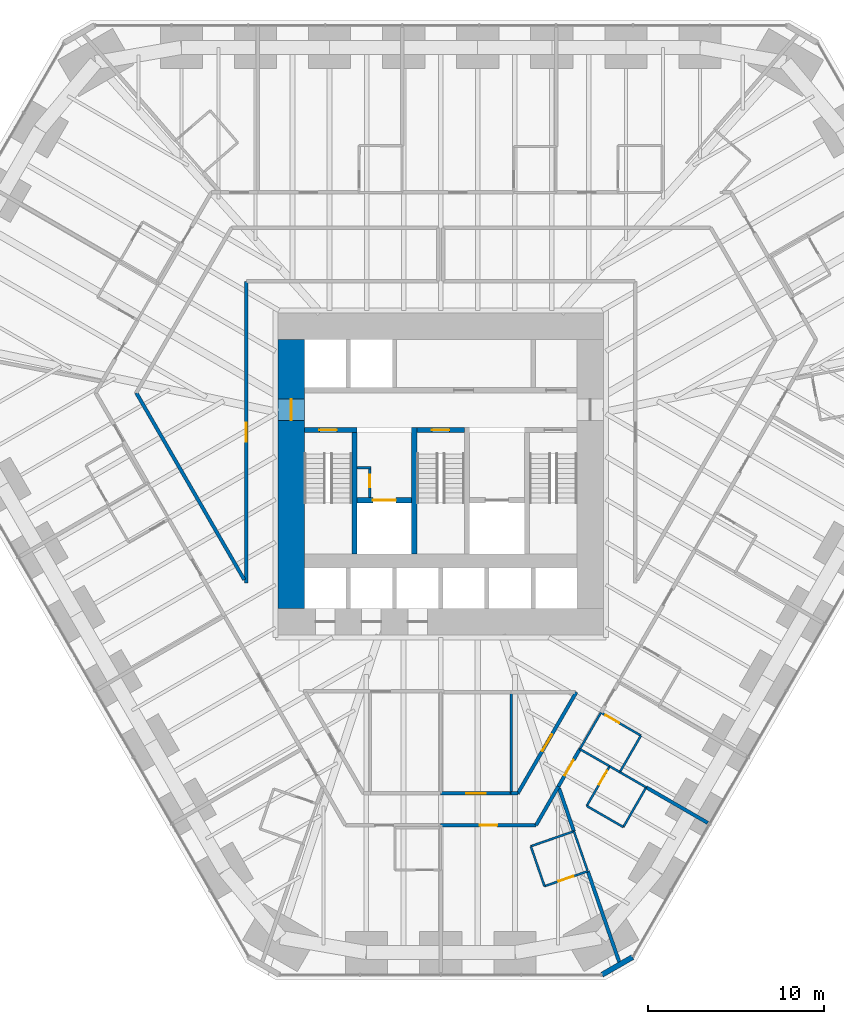
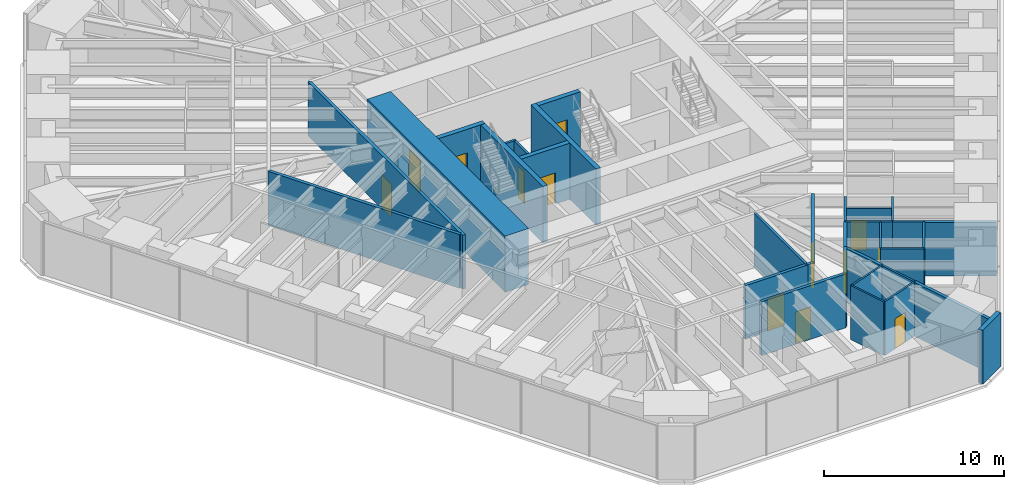
# One storey, part 12 of 17: 34 walls, 13 doors, 13 openings.
"""IFC4 building model written with IfcOpenShell, lengths in metres."""

from ifc_helpers import new_model, si_unit, direction, frame, frame_2d, origin, place, context, subcontext, project, spatial, rectangle, extrude, material, layer, layer_set, type_object, element, fill, save


model = new_model("IFC4")

# Units and contexts
model_context = context("Model", 3, precision=1e-05, world=origin(), true_north=direction((0.0, 1.0)))
body_context = subcontext(model_context, "Body", "Model", "MODEL_VIEW")
ifc_project = project(units=[si_unit("LENGTHUNIT", "METRE"), si_unit("AREAUNIT", "SQUARE_METRE"), si_unit("VOLUMEUNIT", "CUBIC_METRE"), si_unit("PLANEANGLEUNIT", "RADIAN"), si_unit("MASSUNIT", "GRAM", prefix="KILO")], contexts=[model_context])

# Site, building, storey
site_placement = place(None, origin())
site = spatial("IfcSite", under=ifc_project, at=site_placement, CompositionType="ELEMENT")
building_placement = place(site_placement, origin())
building = spatial("IfcBuilding", under=site, at=building_placement, Name="Sandreach Pilgrim Tower", CompositionType="ELEMENT")
storey_placement = place(building_placement, frame((0.0, 0.0, 38.199951171875)))
storey = spatial("IfcBuildingStorey", under=building, at=storey_placement, Name="L08", CompositionType="ELEMENT", Elevation=38.199951171875)

# Walls
ifc_material_1 = material(Name="Gypsum board on steel studs", Category="steel")
ifc_layer_1 = layer(ifc_material_1, 0.14990234375)
ifc_layer_set_1 = layer_set([ifc_layer_1], Name="Back of house wall 150")
wall_type_1 = type_object("IfcWallType", Name="Back of house wall 150", PredefinedType="PARTITIONING", material=ifc_layer_set_1)
wall_1_placement = place(storey_placement, frame((4.0, -13.949951171875, 0.0), z_axis=(0.0, 0.0, 1.0), x_axis=(0.0, -1.0, 0.0)))
element("IfcWall", 1, at=wall_1_placement, inside=storey, type_object=wall_type_1, Name="Back of house wall L08-075", PredefinedType="PARTITIONING", context=body_context, shape_type="SweptSolid", body=[
    extrude(rectangle(XDim=5.760009765625, YDim=0.14990234375, at=frame_2d((2.8798828125, 0.0))), origin(), (0.0, 0.0, 1.0), 3.64013671875),
])
ifc_material_2 = material(Name="Moisture-resistant gypsum board on steel studs", Category="steel")
ifc_layer_2 = layer(ifc_material_2, 0.1201171875)
ifc_layer_set_2 = layer_set([ifc_layer_2], Name="Bathroom partition 120")
wall_type_2 = type_object("IfcWallType", Name="Bathroom partition 120", PredefinedType="PARTITIONING", material=ifc_layer_set_2)
wall_2_placement = place(storey_placement, frame((5.1201171875, -22.7099609375, 0.0), z_axis=(0.0, 0.0, 1.0), x_axis=(0.324880771143, -0.945754981241, 0.0)))
element("IfcWall", 2, at=wall_2_placement, inside=storey, type_object=wall_type_2, Name="Bathroom partition L08-080", PredefinedType="PARTITIONING", context=body_context, shape_type="SweptSolid", body=[
    extrude(rectangle(XDim=2.400146484375, YDim=0.1201171875, at=frame_2d((1.2001953125, 0.0))), origin(), (0.0, 0.0, 1.0), 3.64013671875),
])

# Wall, opening, door
wall_3_placement = place(storey_placement, frame((5.89990234375, -24.97998046875, 0.0), z_axis=(0.0, 0.0, 1.0), x_axis=(0.945165466094, 0.326591857987, 0.0)))
wall_3 = element("IfcWall", 3, at=wall_3_placement, inside=storey, type_object=wall_type_2, Name="Bathroom partition L08-082", PredefinedType="PARTITIONING", context=body_context, shape_type="SweptSolid", body=[
    extrude(rectangle(XDim=2.60302734375, YDim=0.1201171875, at=frame_2d((1.301513671875, 0.0))), origin(), (0.0, 0.0, 1.0), 3.64013671875),
])
opening_1_placement = place(wall_3_placement, frame((0.85009765625, 0.0, 0.0)))
opening_1 = element("IfcOpeningElement", 4, at=opening_1_placement, cuts=wall_3, Name="Opening D09-12B", PredefinedType="OPENING", context=body_context, shape_type="SweptSolid", body=[
    extrude(rectangle(XDim=0.89990234375, YDim=2.030029296875, at=frame_2d((0.449951171875, 1.01513671875))), frame((0.0, 0.06005859375, 0.0), z_axis=(0.0, -1.0, 0.0), x_axis=(1.0, 0.0, 0.0)), (0.0, 0.0, 1.0), 0.1201171875),
])
ifc_material_3 = material(Name="Timber door, steel frame", Category="steel")
door_type_1 = type_object("IfcDoorType", Name="Bathroom door", OperationType="SINGLE_SWING_LEFT", PredefinedType="DOOR", material=ifc_material_3)
door_1_placement = place(opening_1_placement, origin())
door_1 = element("IfcDoor", 5, at=door_1_placement, inside=storey, type_object=door_type_1, Name="Door 0812B", OperationType="SINGLE_SWING_LEFT", OverallHeight=2.030029296875, OverallWidth=0.89990234375, PredefinedType="DOOR", context=body_context, shape_type="SweptSolid", body=[
    extrude(rectangle(XDim=0.89990234375, YDim=2.030029296875, at=frame_2d((0.449951171875, 1.01513671875))), frame((0.0, 0.02490234375, 0.0), z_axis=(0.0, -1.0, 0.0), x_axis=(1.0, 0.0, 0.0)), (0.0, 0.0, 1.0), 0.050048828125),
])
fill(opening_1, door_1)

# Walls
wall_4_placement = place(storey_placement, frame((7.570068359375, -21.860107421875, 0.0), z_axis=(0.0, 0.0, 1.0), x_axis=(-0.944782191137, -0.327698964463, 0.0)))
element("IfcWall", 6, at=wall_4_placement, inside=storey, type_object=wall_type_2, Name="Bathroom partition L08-089", PredefinedType="PARTITIONING", context=body_context, shape_type="SweptSolid", body=[
    extrude(rectangle(XDim=2.593505859375, YDim=0.1201171875, at=frame_2d((1.296875, 0.0))), origin(), (0.0, 0.0, 1.0), 3.64013671875),
])
wall_5_placement = place(storey_placement, frame((7.570068359375, -21.860107421875, 0.0), z_axis=(0.0, 0.0, 1.0), x_axis=(0.327706459026, -0.944779591605, 0.0)))
element("IfcWall", 7, at=wall_5_placement, inside=storey, type_object=wall_type_2, Name="Bathroom partition L08-090", PredefinedType="PARTITIONING", context=body_context, shape_type="SweptSolid", body=[
    extrude(rectangle(XDim=2.349609375, YDim=0.1201171875, at=frame_2d((1.1748046875, 0.0))), origin(), (0.0, 0.0, 1.0), 3.64013671875),
])
wall_6_placement = place(storey_placement, frame((7.909912109375, -17.18994140625, 0.0), z_axis=(0.0, 0.0, 1.0), x_axis=(0.499737123639, 0.866177122335, 0.0)))
element("IfcWall", 8, at=wall_6_placement, inside=storey, type_object=wall_type_2, Name="Bathroom partition L08-092", PredefinedType="PARTITIONING", context=body_context, shape_type="SweptSolid", body=[
    extrude(rectangle(XDim=2.401123046875, YDim=0.1201171875, at=frame_2d((1.20068359375, 0.0))), origin(), (0.0, 0.0, 1.0), 3.64013671875),
])
wall_7_placement = place(storey_placement, frame((7.909912109375, -17.18994140625, 0.0), z_axis=(0.0, 0.0, 1.0), x_axis=(0.8673242112, -0.497743621421, 0.0)))
element("IfcWall", 9, at=wall_7_placement, inside=storey, type_object=wall_type_2, Name="Bathroom partition L08-093", PredefinedType="PARTITIONING", context=body_context, shape_type="SweptSolid", body=[
    extrude(rectangle(XDim=1.94873046875, YDim=0.1201171875, at=frame_2d((0.974365234375, 0.0))), origin(), (0.0, 0.0, 1.0), 3.64013671875),
])
wall_8_placement = place(storey_placement, frame((8.300048828125, -20.419921875, 0.0), z_axis=(0.0, 0.0, 1.0), x_axis=(0.866177122335, -0.499737123639, 0.0)))
element("IfcWall", 10, at=wall_8_placement, inside=storey, type_object=wall_type_2, Name="Bathroom partition L08-094", PredefinedType="PARTITIONING", context=body_context, shape_type="SweptSolid", body=[
    extrude(rectangle(XDim=2.401123046875, YDim=0.1201171875, at=frame_2d((1.20068359375, 0.0))), origin(), (0.0, 0.0, 1.0), 3.64013671875),
])

# Wall, opening, door
wall_9_placement = place(storey_placement, frame((9.60009765625, -18.159912109375, 0.0), z_axis=(0.0, 0.0, 1.0), x_axis=(-0.498627694264, -0.866816256489, 0.0)))
wall_9 = element("IfcWall", 11, at=wall_9_placement, inside=storey, type_object=wall_type_2, Name="Bathroom partition L08-097", PredefinedType="PARTITIONING", context=body_context, shape_type="SweptSolid", body=[
    extrude(rectangle(XDim=2.607177734375, YDim=0.1201171875, at=frame_2d((1.3037109375, 0.0))), origin(), (0.0, 0.0, 1.0), 3.64013671875),
])
opening_2_placement = place(wall_9_placement, frame((0.300048828125, 0.0, 0.0)))
opening_2 = element("IfcOpeningElement", 12, at=opening_2_placement, cuts=wall_9, Name="Opening D09-11B", PredefinedType="OPENING", context=body_context, shape_type="SweptSolid", body=[
    extrude(rectangle(XDim=0.89990234375, YDim=2.030029296875, at=frame_2d((0.449951171875, 1.01513671875))), frame((0.0, 0.06005859375, 0.0), z_axis=(0.0, -1.0, 0.0), x_axis=(1.0, 0.0, 0.0)), (0.0, 0.0, 1.0), 0.1201171875),
])
door_2_placement = place(opening_2_placement, origin())
door_2 = element("IfcDoor", 13, at=door_2_placement, inside=storey, type_object=door_type_1, Name="Door 0811B", OperationType="SINGLE_SWING_LEFT", OverallHeight=2.030029296875, OverallWidth=0.89990234375, PredefinedType="DOOR", context=body_context, shape_type="SweptSolid", body=[
    extrude(rectangle(XDim=0.89990234375, YDim=2.030029296875, at=frame_2d((0.449951171875, 1.01513671875))), frame((0.0, 0.02490234375, 0.0), z_axis=(0.0, -1.0, 0.0), x_axis=(1.0, 0.0, 0.0)), (0.0, 0.0, 1.0), 0.050048828125),
])
fill(opening_2, door_2)

# Walls
wall_10_placement = place(storey_placement, frame((9.60009765625, -18.159912109375, 0.0), z_axis=(0.0, 0.0, 1.0), x_axis=(0.862577739272, -0.505924543497, 0.0)))
element("IfcWall", 14, at=wall_10_placement, inside=storey, type_object=wall_type_2, Name="Bathroom partition L08-098", PredefinedType="PARTITIONING", context=body_context, shape_type="SweptSolid", body=[
    extrude(rectangle(XDim=0.672119140625, YDim=0.1201171875, at=frame_2d((0.3359375, 0.0))), origin(), (0.0, 0.0, 1.0), 3.64013671875),
])
wall_11_placement = place(storey_placement, frame((10.179931640625, -18.5, 0.0), z_axis=(0.0, 0.0, 1.0), x_axis=(0.499693115345, 0.866202511239, 0.0)))
element("IfcWall", 15, at=wall_11_placement, inside=storey, type_object=wall_type_2, Name="Bathroom partition L08-103", PredefinedType="PARTITIONING", context=body_context, shape_type="SweptSolid", body=[
    extrude(rectangle(XDim=2.4013671875, YDim=0.1201171875, at=frame_2d((1.20068359375, 0.0))), origin(), (0.0, 0.0, 1.0), 3.64013671875),
])
wall_12_placement = place(storey_placement, frame((10.179931640625, -18.5, 0.0), z_axis=(0.0, 0.0, 1.0), x_axis=(0.867564547129, -0.497324598794, 0.0)))
element("IfcWall", 16, at=wall_12_placement, inside=storey, type_object=wall_type_2, Name="Bathroom partition L08-104", PredefinedType="PARTITIONING", context=body_context, shape_type="SweptSolid", body=[
    extrude(rectangle(XDim=1.72900390625, YDim=0.1201171875, at=frame_2d((0.864501953125, 0.0))), origin(), (0.0, 0.0, 1.0), 3.64013671875),
])
wall_13_placement = place(storey_placement, frame((10.3798828125, -21.6201171875, 0.0), z_axis=(0.0, 0.0, 1.0), x_axis=(0.498627694264, 0.866816256489, 0.0)))
element("IfcWall", 17, at=wall_13_placement, inside=storey, type_object=wall_type_2, Name="Bathroom partition L08-105", PredefinedType="PARTITIONING", context=body_context, shape_type="SweptSolid", body=[
    extrude(rectangle(XDim=2.607177734375, YDim=0.1201171875, at=frame_2d((1.3037109375, 0.0))), origin(), (0.0, 0.0, 1.0), 3.64013671875),
])

# Wall, opening, door
wall_14_placement = place(storey_placement, frame((11.3798828125, -16.419921875, 0.0), z_axis=(0.0, 0.0, 1.0), x_axis=(-0.866154567199, 0.49977621564, 0.0)))
wall_14 = element("IfcWall", 18, at=wall_14_placement, inside=storey, type_object=wall_type_2, Name="Bathroom partition L08-109", PredefinedType="PARTITIONING", context=body_context, shape_type="SweptSolid", body=[
    extrude(rectangle(XDim=2.620849609375, YDim=0.1201171875, at=frame_2d((1.310546875, 0.0))), origin(), (0.0, 0.0, 1.0), 2.8779296875),
])
opening_3_placement = place(wall_14_placement, frame((1.4208984375, 0.0, 0.0)))
opening_3 = element("IfcOpeningElement", 19, at=opening_3_placement, cuts=wall_14, Name="Opening D09-10B", PredefinedType="OPENING", context=body_context, shape_type="SweptSolid", body=[
    extrude(rectangle(XDim=0.89990234375, YDim=2.030029296875, at=frame_2d((0.449951171875, 1.01513671875))), frame((0.0, 0.06005859375, 0.0), z_axis=(0.0, -1.0, 0.0), x_axis=(1.0, 0.0, 0.0)), (0.0, 0.0, 1.0), 0.1201171875),
])
door_3_placement = place(opening_3_placement, origin())
door_3 = element("IfcDoor", 20, at=door_3_placement, inside=storey, type_object=door_type_1, Name="Door 0810B", OperationType="SINGLE_SWING_RIGHT", OverallHeight=2.030029296875, OverallWidth=0.89990234375, PredefinedType="DOOR", context=body_context, shape_type="SweptSolid", body=[
    extrude(rectangle(XDim=0.89990234375, YDim=2.030029296875, at=frame_2d((0.449951171875, 1.01513671875))), frame((0.0, 0.02490234375, 0.0), z_axis=(0.0, -1.0, 0.0), x_axis=(1.0, 0.0, 0.0)), (0.0, 0.0, 1.0), 0.050048828125),
])
fill(opening_3, door_3)

# Walls
ifc_material_4 = material(Name="Concrete 10000 psi", Category="concrete")
ifc_layer_3 = layer(ifc_material_4, 0.300048828125)
ifc_layer_set_3 = layer_set([ifc_layer_3], Name="Core inner wall 300")
wall_type_3 = type_object("IfcWallType", Name="Core inner wall 300", PredefinedType="SHEAR", material=ifc_layer_set_3)
for number, where, z_axis, x_axis, name in (
    (21, (-4.89990234375, -6.10009765625, 0.0), (0.0, 0.0, 1.0), (0.0, 1.0, 0.0), "Core wall I0 L08"),
    (22, (-1.5, -6.10009765625, 0.0), (0.0, 0.0, 1.0), (0.0, 1.0, 0.0), "Core wall I1 L08"),
):
    element("IfcWall", number, at=place(storey_placement, frame(where, z_axis=z_axis, x_axis=x_axis)), inside=storey, type_object=wall_type_3, Name=name, PredefinedType="SHEAR", context=body_context, shape_type="SweptSolid", body=[
        extrude(rectangle(XDim=7.2001953125, YDim=0.300048828125, at=frame_2d((3.60009765625, 0.0))), origin(), (0.0, 0.0, 1.0), 3.800048828125),
    ])

# Wall, opening, door
wall_15_placement = place(storey_placement, frame((-7.75, 0.949951171875, 0.0), z_axis=(0.0, 0.0, 1.0), x_axis=(1.0, 0.0, 0.0)))
wall_15 = element("IfcWall", 23, at=wall_15_placement, inside=storey, type_object=wall_type_3, Name="Core wall SN1 L08", PredefinedType="SHEAR", context=body_context, shape_type="SweptSolid", body=[
    extrude(rectangle(XDim=3.0, YDim=0.300048828125, at=frame_2d((1.5, 0.0))), origin(), (0.0, 0.0, 1.0), 3.800048828125),
])
opening_4_placement = place(wall_15_placement, frame((0.85009765625, 0.0, 0.0)))
opening_4 = element("IfcOpeningElement", 24, at=opening_4_placement, cuts=wall_15, Name="Opening D10S-ST1", PredefinedType="OPENING", context=body_context, shape_type="SweptSolid", body=[
    extrude(rectangle(XDim=1.0, YDim=2.199951171875, at=frame_2d((0.5, 1.10009765625))), frame((0.0, 0.14990234375, 0.0), z_axis=(0.0, -1.0, 0.0), x_axis=(1.0, 0.0, 0.0)), (0.0, 0.0, 1.0), 0.300048828125),
])
ifc_material_5 = material(Name="Steel door and frame", Category="steel")
door_type_2 = type_object("IfcDoorType", Name="Stair door", OperationType="SINGLE_SWING_LEFT", PredefinedType="DOOR", material=ifc_material_5)
door_4_placement = place(opening_4_placement, origin())
door_4 = element("IfcDoor", 25, at=door_4_placement, inside=storey, type_object=door_type_2, Name="Stair door ST1 L08", OperationType="SINGLE_SWING_LEFT", OverallHeight=2.199951171875, OverallWidth=1.0, PredefinedType="DOOR", context=body_context, shape_type="SweptSolid", body=[
    extrude(rectangle(XDim=1.0, YDim=2.199951171875, at=frame_2d((0.5, 1.10009765625))), frame((0.0, 0.02490234375, 0.0), z_axis=(0.0, -1.0, 0.0), x_axis=(1.0, 0.0, 0.0)), (0.0, 0.0, 1.0), 0.050048828125),
])
fill(opening_4, door_4)

wall_16_placement = place(storey_placement, frame((-1.35009765625, 0.949951171875, 0.0), z_axis=(0.0, 0.0, 1.0), x_axis=(1.0, 0.0, 0.0)))
wall_16 = element("IfcWall", 26, at=wall_16_placement, inside=storey, type_object=wall_type_3, Name="Core wall SN3 L08", PredefinedType="SHEAR", context=body_context, shape_type="SweptSolid", body=[
    extrude(rectangle(XDim=2.7001953125, YDim=0.300048828125, at=frame_2d((1.35009765625, 0.0))), origin(), (0.0, 0.0, 1.0), 3.800048828125),
])
opening_5_placement = place(wall_16_placement, frame((0.85009765625, 0.0, 0.0)))
opening_5 = element("IfcOpeningElement", 27, at=opening_5_placement, cuts=wall_16, Name="Opening D10S-ST3", PredefinedType="OPENING", context=body_context, shape_type="SweptSolid", body=[
    extrude(rectangle(XDim=1.0, YDim=2.199951171875, at=frame_2d((0.5, 1.10009765625))), frame((0.0, 0.14990234375, 0.0), z_axis=(0.0, -1.0, 0.0), x_axis=(1.0, 0.0, 0.0)), (0.0, 0.0, 1.0), 0.300048828125),
])
door_5_placement = place(opening_5_placement, origin())
door_5 = element("IfcDoor", 28, at=door_5_placement, inside=storey, type_object=door_type_2, Name="Stair door ST3 L08", OperationType="SINGLE_SWING_LEFT", OverallHeight=2.199951171875, OverallWidth=1.0, PredefinedType="DOOR", context=body_context, shape_type="SweptSolid", body=[
    extrude(rectangle(XDim=1.0, YDim=2.199951171875, at=frame_2d((0.5, 1.10009765625))), frame((0.0, 0.02490234375, 0.0), z_axis=(0.0, -1.0, 0.0), x_axis=(1.0, 0.0, 0.0)), (0.0, 0.0, 1.0), 0.050048828125),
])
fill(opening_5, door_5)

wall_17_placement = place(storey_placement, frame((-4.75, -3.050048828125, 0.0), z_axis=(0.0, 0.0, 1.0), x_axis=(1.0, 0.0, 0.0)))
wall_17 = element("IfcWall", 29, at=wall_17_placement, inside=storey, type_object=wall_type_3, Name="Core wall FL1 L08", PredefinedType="SHEAR", context=body_context, shape_type="SweptSolid", body=[
    extrude(rectangle(XDim=3.10009765625, YDim=0.300048828125, at=frame_2d((1.550048828125, 0.0))), origin(), (0.0, 0.0, 1.0), 3.800048828125),
])
opening_6_placement = place(wall_17_placement, frame((0.89990234375, 0.0, 0.0)))
opening_6 = element("IfcOpeningElement", 30, at=opening_6_placement, cuts=wall_17, Name="Opening LD13", PredefinedType="OPENING", context=body_context, shape_type="SweptSolid", body=[
    extrude(rectangle(XDim=1.300048828125, YDim=2.10009765625, at=frame_2d((0.64990234375, 1.050048828125))), frame((0.0, 0.14990234375, 0.0), z_axis=(0.0, -1.0, 0.0), x_axis=(1.0, 0.0, 0.0)), (0.0, 0.0, 1.0), 0.300048828125),
])
ifc_material_6 = material(Name="Steel door and frame", Category="steel")
door_type_3 = type_object("IfcDoorType", Name="Fire service lift landing door", OperationType="DOUBLE_DOOR_SLIDING", PredefinedType="DOOR", material=ifc_material_6)
door_6_placement = place(opening_6_placement, origin())
door_6 = element("IfcDoor", 31, at=door_6_placement, inside=storey, type_object=door_type_3, Name="Lift landing door FS1 L08", OperationType="DOUBLE_DOOR_SLIDING", OverallHeight=2.10009765625, OverallWidth=1.300048828125, PredefinedType="DOOR", context=body_context, shape_type="SweptSolid", body=[
    extrude(rectangle(XDim=1.300048828125, YDim=2.10009765625, at=frame_2d((0.64990234375, 1.050048828125))), frame((0.0, 0.02490234375, 0.0), z_axis=(0.0, -1.0, 0.0), x_axis=(1.0, 0.0, 0.0)), (0.0, 0.0, 1.0), 0.050048828125),
])
fill(opening_6, door_6)

ifc_material_7 = material(Name="Concrete 10000 psi", Category="concrete")
ifc_layer_4 = layer(ifc_material_7, 1.5)
ifc_layer_set_4 = layer_set([ifc_layer_4], Name="Core wall 1500")
wall_type_4 = type_object("IfcWallType", Name="Core wall 1500", PredefinedType="SHEAR", material=ifc_layer_set_4)
wall_18_placement = place(storey_placement, frame((-8.5, -9.199951171875, 0.0), z_axis=(0.0, 0.0, 1.0), x_axis=(0.0, 1.0, 0.0)))
wall_18 = element("IfcWall", 32, at=wall_18_placement, inside=storey, type_object=wall_type_4, Name="Core wall W L08", PredefinedType="SHEAR", context=body_context, shape_type="SweptSolid", body=[
    extrude(rectangle(XDim=15.300048828125, YDim=1.5, at=frame_2d((7.64990234375, 0.0))), origin(), (0.0, 0.0, 1.0), 3.800048828125),
])
opening_7_placement = place(wall_18_placement, frame((10.699951171875, 0.0, 0.0)))
opening_7 = element("IfcOpeningElement", 33, at=opening_7_placement, cuts=wall_18, Name="Opening D12F-W", PredefinedType="OPENING", context=body_context, shape_type="SweptSolid", body=[
    extrude(rectangle(XDim=1.199951171875, YDim=2.199951171875, at=frame_2d((0.60009765625, 1.10009765625))), frame((0.0, 0.75, 0.0), z_axis=(0.0, -1.0, 0.0), x_axis=(1.0, 0.0, 0.0)), (0.0, 0.0, 1.0), 1.5),
])
ifc_material_8 = material(Name="Steel door and frame", Category="steel")
door_type_4 = type_object("IfcDoorType", Name="Fire lobby door", OperationType="SINGLE_SWING_LEFT", PredefinedType="DOOR", material=ifc_material_8)
door_7_placement = place(opening_7_placement, origin())
door_7 = element("IfcDoor", 34, at=door_7_placement, inside=storey, type_object=door_type_4, Name="Fire service lobby door W L08", OperationType="SINGLE_SWING_RIGHT", OverallHeight=2.199951171875, OverallWidth=1.199951171875, PredefinedType="DOOR", context=body_context, shape_type="SweptSolid", body=[
    extrude(rectangle(XDim=1.199951171875, YDim=2.199951171875, at=frame_2d((0.60009765625, 1.10009765625))), frame((0.0, 0.02490234375, 0.0), z_axis=(0.0, -1.0, 0.0), x_axis=(1.0, 0.0, 0.0)), (0.0, 0.0, 1.0), 0.050048828125),
])
fill(opening_7, door_7)

# Wall
ifc_material_9 = material(Name="Gypsum board on steel studs, two layers each side", Category="steel")
ifc_layer_5 = layer(ifc_material_9, 0.199951171875)
ifc_layer_set_5 = layer_set([ifc_layer_5], Name="Corridor wall 200")
wall_type_5 = type_object("IfcWallType", Name="Corridor wall 200", PredefinedType="PARTITIONING", material=ifc_layer_set_5)
wall_19_placement = place(storey_placement, frame((-11.16015625, -7.569580078125, 0.0), z_axis=(0.0, 0.0, 1.0), x_axis=(-0.500175206663, 0.865924224537, 0.0)))
element("IfcWall", 35, at=wall_19_placement, inside=storey, type_object=wall_type_5, Name="Corridor wall L08-037", PredefinedType="PARTITIONING", context=body_context, shape_type="SweptSolid", body=[
    extrude(rectangle(XDim=12.275390625, YDim=0.199951171875, at=frame_2d((6.1376953125, 0.0))), origin(), (0.0, 0.0, 1.0), 3.64013671875),
])

# Wall, opening, door
wall_20_placement = place(storey_placement, frame((-11.050048828125, 9.39990234375, 0.0), z_axis=(0.0, 0.0, 1.0), x_axis=(0.0, -1.0, 0.0)))
wall_20 = element("IfcWall", 36, at=wall_20_placement, inside=storey, type_object=wall_type_5, Name="Corridor wall L08-038", PredefinedType="PARTITIONING", context=body_context, shape_type="SweptSolid", body=[
    extrude(rectangle(XDim=17.159912109375, YDim=0.199951171875, at=frame_2d((8.580078125, 0.0))), origin(), (0.0, 0.0, 1.0), 3.64013671875),
])
opening_8_placement = place(wall_20_placement, frame((8.030029296875, 0.0, 0.0)))
opening_8 = element("IfcOpeningElement", 37, at=opening_8_placement, cuts=wall_20, Name="Opening D11H-M1", PredefinedType="OPENING", context=body_context, shape_type="SweptSolid", body=[
    extrude(rectangle(XDim=1.10009765625, YDim=2.199951171875, at=frame_2d((0.550048828125, 1.10009765625))), frame((0.0, 0.10009765625, 0.0), z_axis=(0.0, -1.0, 0.0), x_axis=(1.0, 0.0, 0.0)), (0.0, 0.0, 1.0), 0.199951171875),
])
ifc_material_10 = material(Name="Steel door and frame", Category="steel")
door_type_5 = type_object("IfcDoorType", Name="Back of house door", OperationType="SINGLE_SWING_LEFT", PredefinedType="DOOR", material=ifc_material_10)
door_8_placement = place(opening_8_placement, origin())
door_8 = element("IfcDoor", 38, at=door_8_placement, inside=storey, type_object=door_type_5, Name="Door 08M1", OperationType="SINGLE_SWING_LEFT", OverallHeight=2.199951171875, OverallWidth=1.10009765625, PredefinedType="DOOR", context=body_context, shape_type="SweptSolid", body=[
    extrude(rectangle(XDim=1.10009765625, YDim=2.199951171875, at=frame_2d((0.550048828125, 1.10009765625))), frame((0.0, 0.02490234375, 0.0), z_axis=(0.0, -1.0, 0.0), x_axis=(1.0, 0.0, 0.0)), (0.0, 0.0, 1.0), 0.050048828125),
])
fill(opening_8, door_8)

wall_21_placement = place(storey_placement, frame((0.0, -21.510009765625, 0.0), z_axis=(0.0, 0.0, 1.0), x_axis=(1.0, 0.0, 0.0)))
wall_21 = element("IfcWall", 39, at=wall_21_placement, inside=storey, type_object=wall_type_5, Name="Corridor wall L08-067", PredefinedType="PARTITIONING", context=body_context, shape_type="SweptSolid", body=[
    extrude(rectangle(XDim=5.419921875, YDim=0.199951171875, at=frame_2d((2.7099609375, 0.0))), origin(), (0.0, 0.0, 1.0), 3.64013671875),
])
opening_9_placement = place(wall_21_placement, frame((2.2099609375, 0.0, 0.0)))
opening_9 = element("IfcOpeningElement", 40, at=opening_9_placement, cuts=wall_21, Name="Opening D10-12", PredefinedType="OPENING", context=body_context, shape_type="SweptSolid", body=[
    extrude(rectangle(XDim=1.0, YDim=2.1298828125, at=frame_2d((0.5, 1.06494140625))), frame((0.0, 0.10009765625, 0.0), z_axis=(0.0, -1.0, 0.0), x_axis=(1.0, 0.0, 0.0)), (0.0, 0.0, 1.0), 0.199951171875),
])
ifc_material_11 = material(Name="Steel door and frame", Category="steel")
door_type_6 = type_object("IfcDoorType", Name="Guest room entry door", OperationType="SINGLE_SWING_LEFT", PredefinedType="DOOR", material=ifc_material_11)
door_9_placement = place(opening_9_placement, origin())
door_9 = element("IfcDoor", 41, at=door_9_placement, inside=storey, type_object=door_type_6, Name="Door 0812", OperationType="SINGLE_SWING_LEFT", OverallHeight=2.1298828125, OverallWidth=1.0, PredefinedType="DOOR", context=body_context, shape_type="SweptSolid", body=[
    extrude(rectangle(XDim=1.0, YDim=2.1298828125, at=frame_2d((0.5, 1.06494140625))), frame((0.0, 0.02490234375, 0.0), z_axis=(0.0, -1.0, 0.0), x_axis=(1.0, 0.0, 0.0)), (0.0, 0.0, 1.0), 0.050048828125),
])
fill(opening_9, door_9)

wall_22_placement = place(storey_placement, frame((4.0, -19.7099609375, 0.0), z_axis=(0.0, 0.0, 1.0), x_axis=(-1.0, 0.0, 0.0)))
wall_22 = element("IfcWall", 42, at=wall_22_placement, inside=storey, type_object=wall_type_5, Name="Corridor wall L08-074", PredefinedType="PARTITIONING", context=body_context, shape_type="SweptSolid", body=[
    extrude(rectangle(XDim=4.0, YDim=0.199951171875, at=frame_2d((2.0, 0.0))), origin(), (0.0, 0.0, 1.0), 3.64013671875),
])
opening_10_placement = place(wall_22_placement, frame((1.449951171875, 0.0, 0.0)))
opening_10 = element("IfcOpeningElement", 43, at=opening_10_placement, cuts=wall_22, Name="Opening D11H-S3", PredefinedType="OPENING", context=body_context, shape_type="SweptSolid", body=[
    extrude(rectangle(XDim=1.10009765625, YDim=2.199951171875, at=frame_2d((0.550048828125, 1.10009765625))), frame((0.0, 0.10009765625, 0.0), z_axis=(0.0, -1.0, 0.0), x_axis=(1.0, 0.0, 0.0)), (0.0, 0.0, 1.0), 0.199951171875),
])
door_10_placement = place(opening_10_placement, origin())
door_10 = element("IfcDoor", 44, at=door_10_placement, inside=storey, type_object=door_type_5, Name="Door 08S3", OperationType="SINGLE_SWING_LEFT", OverallHeight=2.199951171875, OverallWidth=1.10009765625, PredefinedType="DOOR", context=body_context, shape_type="SweptSolid", body=[
    extrude(rectangle(XDim=1.10009765625, YDim=2.199951171875, at=frame_2d((0.550048828125, 1.10009765625))), frame((0.0, 0.02490234375, 0.0), z_axis=(0.0, -1.0, 0.0), x_axis=(1.0, 0.0, 0.0)), (0.0, 0.0, 1.0), 0.050048828125),
])
fill(opening_10, door_10)

# Walls
wall_23_placement = place(storey_placement, frame((4.3798828125, -19.7099609375, 0.0), z_axis=(0.0, 0.0, 1.0), x_axis=(-1.0, 0.0, 0.0)))
element("IfcWall", 45, at=wall_23_placement, inside=storey, type_object=wall_type_5, Name="Corridor wall L08-079", PredefinedType="PARTITIONING", context=body_context, shape_type="SweptSolid", body=[
    extrude(rectangle(XDim=0.3798828125, YDim=0.199951171875, at=frame_2d((0.18994140625, 0.0))), origin(), (0.0, 0.0, 1.0), 3.64013671875),
])
wall_24_placement = place(storey_placement, frame((5.419921875, -21.510009765625, 0.0), z_axis=(0.0, 0.0, 1.0), x_axis=(0.499963722229, 0.866046347752, 0.0)))
element("IfcWall", 46, at=wall_24_placement, inside=storey, type_object=wall_type_5, Name="Corridor wall L08-081", PredefinedType="PARTITIONING", context=body_context, shape_type="SweptSolid", body=[
    extrude(rectangle(XDim=2.540283203125, YDim=0.199951171875, at=frame_2d((1.27001953125, 0.0))), origin(), (0.0, 0.0, 1.0), 3.64013671875),
])

# Wall, opening, door
wall_25_placement = place(storey_placement, frame((6.68994140625, -19.31005859375, 0.0), z_axis=(0.0, 0.0, 1.0), x_axis=(0.498748634132, 0.866746675766, 0.0)))
wall_25 = element("IfcWall", 47, at=wall_25_placement, inside=storey, type_object=wall_type_5, Name="Corridor wall L08-087", PredefinedType="PARTITIONING", context=body_context, shape_type="SweptSolid", body=[
    extrude(rectangle(XDim=2.446044921875, YDim=0.199951171875, at=frame_2d((1.22314453125, 0.0))), origin(), (0.0, 0.0, 1.0), 3.64013671875),
])
opening_11_placement = place(wall_25_placement, frame((0.722900390625, 0.0, 0.0)))
opening_11 = element("IfcOpeningElement", 48, at=opening_11_placement, cuts=wall_25, Name="Opening D10-11", PredefinedType="OPENING", context=body_context, shape_type="SweptSolid", body=[
    extrude(rectangle(XDim=1.0, YDim=2.1298828125, at=frame_2d((0.5, 1.06494140625))), frame((0.0, 0.10009765625, 0.0), z_axis=(0.0, -1.0, 0.0), x_axis=(1.0, 0.0, 0.0)), (0.0, 0.0, 1.0), 0.199951171875),
])
door_11_placement = place(opening_11_placement, origin())
door_11 = element("IfcDoor", 49, at=door_11_placement, inside=storey, type_object=door_type_6, Name="Door 0811", OperationType="SINGLE_SWING_LEFT", OverallHeight=2.1298828125, OverallWidth=1.0, PredefinedType="DOOR", context=body_context, shape_type="SweptSolid", body=[
    extrude(rectangle(XDim=1.0, YDim=2.1298828125, at=frame_2d((0.5, 1.06494140625))), frame((0.0, 0.02490234375, 0.0), z_axis=(0.0, -1.0, 0.0), x_axis=(1.0, 0.0, 0.0)), (0.0, 0.0, 1.0), 0.050048828125),
])
fill(opening_11, door_11)

wall_26_placement = place(storey_placement, frame((7.7099609375, -13.949951171875, 0.0), z_axis=(0.0, 0.0, 1.0), x_axis=(-0.500511113963, -0.865730110831, 0.0)))
wall_26 = element("IfcWall", 50, at=wall_26_placement, inside=storey, type_object=wall_type_5, Name="Corridor wall L08-091", PredefinedType="PARTITIONING", context=body_context, shape_type="SweptSolid", body=[
    extrude(rectangle(XDim=6.6533203125, YDim=0.199951171875, at=frame_2d((3.32666015625, 0.0))), origin(), (0.0, 0.0, 1.0), 3.64013671875),
])
opening_12_placement = place(wall_26_placement, frame((2.776611328125, 0.0, 0.0)))
opening_12 = element("IfcOpeningElement", 51, at=opening_12_placement, cuts=wall_26, Name="Opening D11H-S4", PredefinedType="OPENING", context=body_context, shape_type="SweptSolid", body=[
    extrude(rectangle(XDim=1.10009765625, YDim=2.199951171875, at=frame_2d((0.550048828125, 1.10009765625))), frame((0.0, 0.10009765625, 0.0), z_axis=(0.0, -1.0, 0.0), x_axis=(1.0, 0.0, 0.0)), (0.0, 0.0, 1.0), 0.199951171875),
])
door_12_placement = place(opening_12_placement, origin())
door_12 = element("IfcDoor", 52, at=door_12_placement, inside=storey, type_object=door_type_5, Name="Door 08S4", OperationType="SINGLE_SWING_LEFT", OverallHeight=2.199951171875, OverallWidth=1.10009765625, PredefinedType="DOOR", context=body_context, shape_type="SweptSolid", body=[
    extrude(rectangle(XDim=1.10009765625, YDim=2.199951171875, at=frame_2d((0.550048828125, 1.10009765625))), frame((0.0, 0.02490234375, 0.0), z_axis=(0.0, -1.0, 0.0), x_axis=(1.0, 0.0, 0.0)), (0.0, 0.0, 1.0), 0.050048828125),
])
fill(opening_12, door_12)

# Walls
ifc_material_12 = material(Name="Double steel stud acoustic wall, gypsum board", Category="steel")
ifc_layer_6 = layer(ifc_material_12, 0.199951171875)
ifc_layer_set_6 = layer_set([ifc_layer_6], Name="Party wall 200")
wall_type_6 = type_object("IfcWallType", Name="Party wall 200", PredefinedType="PARTITIONING", material=ifc_layer_set_6)
wall_27_placement = place(storey_placement, frame((6.724365234375, -19.4091796875, 0.0), z_axis=(0.0, 0.0, 1.0), x_axis=(0.326182205696, -0.945306917719, 0.0)))
element("IfcWall", 53, at=wall_27_placement, inside=storey, type_object=wall_type_6, Name="Party wall L08-088", PredefinedType="PARTITIONING", context=body_context, shape_type="SweptSolid", body=[
    extrude(rectangle(XDim=2.5927734375, YDim=0.199951171875, at=frame_2d((1.29638671875, 0.0))), origin(), (0.0, 0.0, 1.0), 3.64013671875),
])
wall_28_placement = place(storey_placement, frame((8.360107421875, -24.1298828125, 0.0), z_axis=(0.0, 0.0, 1.0), x_axis=(0.327332811485, -0.944909112309, 0.0)))
element("IfcWall", 54, at=wall_28_placement, inside=storey, type_object=wall_type_6, Name="Party wall L08-095", PredefinedType="PARTITIONING", context=body_context, shape_type="SweptSolid", body=[
    extrude(rectangle(XDim=5.621337890625, YDim=0.199951171875, at=frame_2d((2.810546875, 0.0))), origin(), (0.0, 0.0, 1.0), 3.64013671875),
])
wall_29_placement = place(storey_placement, frame((11.679931640625, -19.360107421875, 0.0), z_axis=(0.0, 0.0, 1.0), x_axis=(0.865885444553, -0.500242338183, 0.0)))
element("IfcWall", 55, at=wall_29_placement, inside=storey, type_object=wall_type_6, Name="Party wall L08-110", PredefinedType="PARTITIONING", context=body_context, shape_type="SweptSolid", body=[
    extrude(rectangle(XDim=4.03759765625, YDim=0.199951171875, at=frame_2d((2.018798828125, 0.0))), origin(), (0.0, 0.0, 1.0), 3.64013671875),
])

# Wall, opening, door
ifc_material_13 = material(Name="Gypsum shaft wall on steel studs, shaft liner board", Category="steel")
ifc_layer_7 = layer(ifc_material_13, 0.14990234375)
ifc_layer_set_7 = layer_set([ifc_layer_7], Name="Riser shaft wall 150")
wall_type_7 = type_object("IfcWallType", Name="Riser shaft wall 150", PredefinedType="PARTITIONING", material=ifc_layer_set_7)
wall_30_placement = place(storey_placement, frame((-4.02490234375, -2.89990234375, 0.0), z_axis=(0.0, 0.0, 1.0), x_axis=(0.0, 1.0, 0.0)))
wall_30 = element("IfcWall", 56, at=wall_30_placement, inside=storey, type_object=wall_type_7, Name="Riser partition L08 side", PredefinedType="PARTITIONING", context=body_context, shape_type="SweptSolid", body=[
    extrude(rectangle(XDim=1.77490234375, YDim=0.14990234375, at=frame_2d((0.887451171875, 0.0))), origin(), (0.0, 0.0, 1.0), 3.64013671875),
])
opening_13_placement = place(wall_30_placement, frame((0.60009765625, 0.0, 0.0)))
opening_13 = element("IfcOpeningElement", 57, at=opening_13_placement, cuts=wall_30, Name="Opening D07R", PredefinedType="OPENING", context=body_context, shape_type="SweptSolid", body=[
    extrude(rectangle(XDim=0.699951171875, YDim=2.10009765625, at=frame_2d((0.35009765625, 1.050048828125))), frame((0.0, 0.074951171875, 0.0), z_axis=(0.0, -1.0, 0.0), x_axis=(1.0, 0.0, 0.0)), (0.0, 0.0, 1.0), 0.14990234375),
])
ifc_material_14 = material(Name="Steel door and frame, smoke seals", Category="steel")
door_type_7 = type_object("IfcDoorType", Name="Riser access door", OperationType="SINGLE_SWING_RIGHT", PredefinedType="DOOR", material=ifc_material_14)
door_13_placement = place(opening_13_placement, origin())
door_13 = element("IfcDoor", 58, at=door_13_placement, inside=storey, type_object=door_type_7, Name="Door riser 08ER", OperationType="SINGLE_SWING_RIGHT", OverallHeight=2.10009765625, OverallWidth=0.699951171875, PredefinedType="DOOR", context=body_context, shape_type="SweptSolid", body=[
    extrude(rectangle(XDim=0.699951171875, YDim=2.10009765625, at=frame_2d((0.35009765625, 1.050048828125))), frame((0.0, 0.02490234375, 0.0), z_axis=(0.0, -1.0, 0.0), x_axis=(1.0, 0.0, 0.0)), (0.0, 0.0, 1.0), 0.050048828125),
])
fill(opening_13, door_13)

# Walls
wall_31_placement = place(storey_placement, frame((-4.75, -1.199951171875, 0.0), z_axis=(0.0, 0.0, 1.0), x_axis=(1.0, 0.0, 0.0)))
element("IfcWall", 59, at=wall_31_placement, inside=storey, type_object=wall_type_7, Name="Riser partition L08 front", PredefinedType="PARTITIONING", context=body_context, shape_type="SweptSolid", body=[
    extrude(rectangle(XDim=0.800048828125, YDim=0.14990234375, at=frame_2d((0.39990234375, 0.0))), origin(), (0.0, 0.0, 1.0), 3.64013671875),
])
ifc_material_15 = material(Name="Terracotta rainscreen on concrete", Category="masonry")
ifc_layer_8 = layer(ifc_material_15, 0.300048828125)
ifc_layer_set_8 = layer_set([ifc_layer_8], Name="Terracotta chamfer pier")
wall_type_8 = type_object("IfcWallType", Name="Terracotta chamfer pier", PredefinedType="SOLIDWALL", material=ifc_layer_set_8)
wall_32_placement = place(storey_placement, frame((10.904052734375, -29.010986328125, 0.0), z_axis=(0.0, 0.0, 1.0), x_axis=(-0.866010750942, -0.50002537861, 0.0)))
element("IfcWall", 60, at=wall_32_placement, inside=storey, type_object=wall_type_8, Name="Chamfer pier L08 SE", PredefinedType="SOLIDWALL", context=body_context, shape_type="SweptSolid", body=[
    extrude(rectangle(XDim=2.0, YDim=0.300048828125, at=frame_2d((1.0, 0.0))), origin(), (0.0, 0.0, 1.0), 3.64013671875),
])

save(model, "model.ifc")
